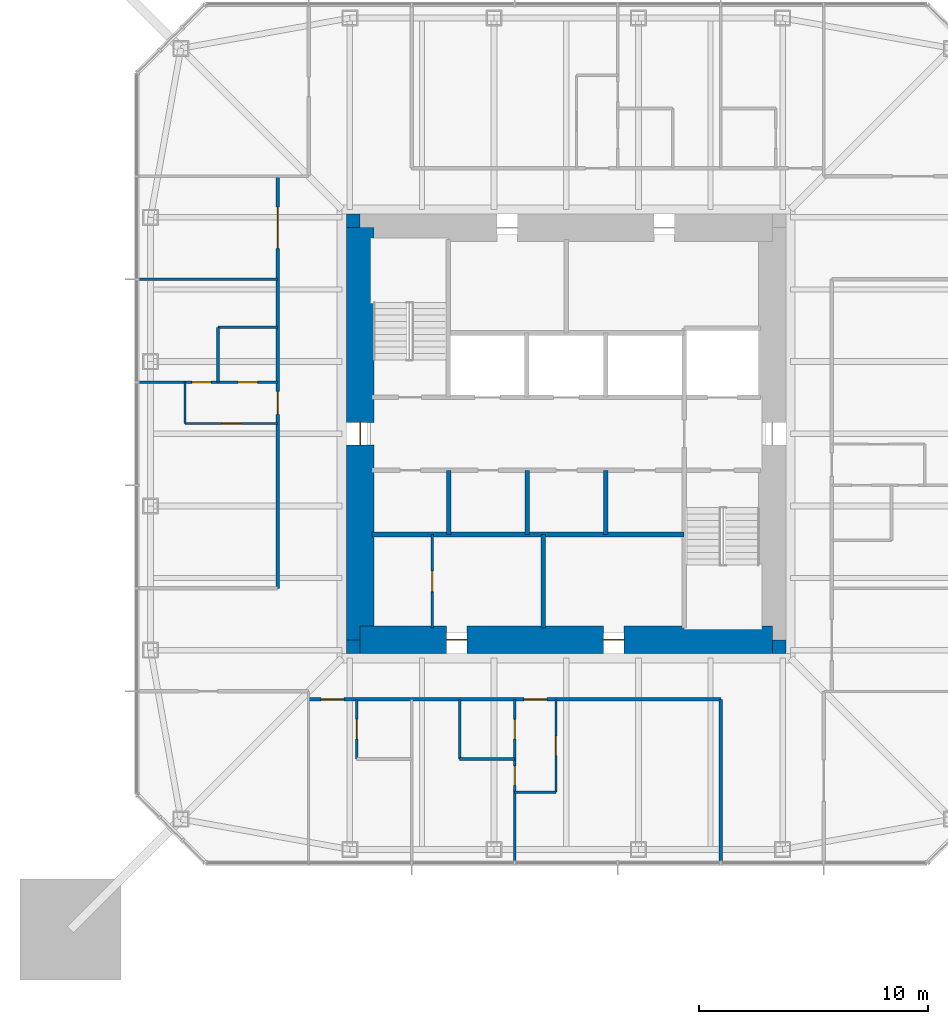
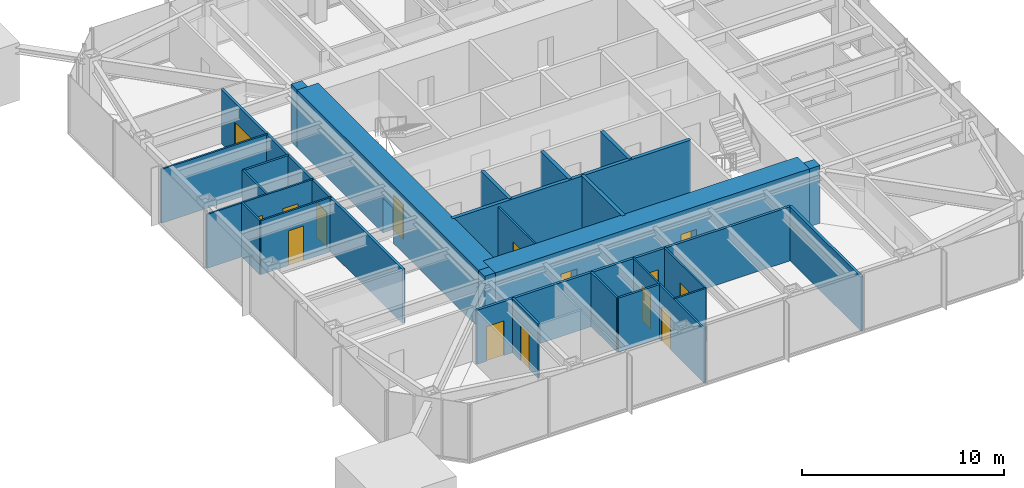
# One storey, part 6 of 11: 26 walls, 15 doors, 15 openings.
"""IFC4 building model written with IfcOpenShell, lengths in metres."""

from ifc_helpers import new_model, si_unit, direction, frame, frame_2d, origin, place, context, subcontext, project, spatial, rectangle, extrude, material, layer, layer_set, type_object, element, fill, save


model = new_model("IFC4")

# Units and contexts
model_context = context("Model", 3, precision=1e-05, world=origin(), true_north=direction((0.0, 1.0)))
body_context = subcontext(model_context, "Body", "Model", "MODEL_VIEW")
ifc_project = project(units=[si_unit("LENGTHUNIT", "METRE"), si_unit("AREAUNIT", "SQUARE_METRE"), si_unit("VOLUMEUNIT", "CUBIC_METRE"), si_unit("PLANEANGLEUNIT", "RADIAN"), si_unit("MASSUNIT", "GRAM", prefix="KILO")], contexts=[model_context])

# Site, building, storey
site_placement = place(None, origin())
site = spatial("IfcSite", under=ifc_project, at=site_placement, CompositionType="ELEMENT")
building_placement = place(site_placement, origin())
building = spatial("IfcBuilding", under=site, at=building_placement, Name="Iwan Alto Co-Living Towers", CompositionType="ELEMENT")
storey_placement = place(building_placement, frame((0.0, 0.0, 188.0)))
storey = spatial("IfcBuildingStorey", under=building, at=storey_placement, Name="L51", CompositionType="ELEMENT", Elevation=188.0)

# Wall, openings, doors
ifc_material_1 = material(Name="Gypsum board")
ifc_layer_1 = layer(ifc_material_1, 0.02490234375, Name="Board", Category="Finish")
ifc_material_2 = material(Name="Steel ASTM A1003 ST33H cold-formed studs", Category="steel")
ifc_layer_2 = layer(ifc_material_2, 0.10009765625, Name="Studs", Category="Framing")
ifc_layer_3 = layer(ifc_material_1, 0.02490234375, Name="Board", Category="Finish")
ifc_layer_set_1 = layer_set([ifc_layer_1, ifc_layer_2, ifc_layer_3], Name="CORRIDOR WALL 150")
wall_type_1 = type_object("IfcWallType", Name="CORRIDOR WALL 150", PredefinedType="PARTITIONING", material=ifc_layer_set_1)
wall_1_placement = place(storey_placement, frame((-11.25, -11.60009765625, 0.0), z_axis=(0.0, 0.0, 1.0), x_axis=(1.0, 0.0, 0.0)))
wall_1 = element("IfcWall", 1, at=wall_1_placement, inside=storey, type_object=wall_type_1, Name="Partition L51", PredefinedType="PARTITIONING", context=body_context, shape_type="SweptSolid", body=[
    extrude(rectangle(XDim=18.0, YDim=0.14990234375, at=frame_2d((9.0, 0.0))), origin(), (0.0, 0.0, 1.0), 3.27001953125),
])
opening_1_placement = place(wall_1_placement, frame((0.550048828125, 0.0, 0.0)))
opening_1 = element("IfcOpeningElement", 2, at=opening_1_placement, cuts=wall_1, Name="Opening D3", PredefinedType="OPENING", context=body_context, shape_type="SweptSolid", body=[
    extrude(rectangle(XDim=1.0, YDim=2.10009765625, at=frame_2d((0.5, 1.050048828125))), frame((0.0, 0.0849609375, 0.0), z_axis=(0.0, -1.0, 0.0), x_axis=(1.0, 0.0, 0.0)), (0.0, 0.0, 1.0), 0.169921875),
])
opening_2_placement = place(wall_1_placement, frame((9.39990234375, 0.0, 0.0)))
opening_2 = element("IfcOpeningElement", 3, at=opening_2_placement, cuts=wall_1, Name="Opening D3", PredefinedType="OPENING", context=body_context, shape_type="SweptSolid", body=[
    extrude(rectangle(XDim=1.0, YDim=2.10009765625, at=frame_2d((0.5, 1.050048828125))), frame((0.0, 0.0849609375, 0.0), z_axis=(0.0, -1.0, 0.0), x_axis=(1.0, 0.0, 0.0)), (0.0, 0.0, 1.0), 0.169921875),
])
ifc_material_3 = material(Name="Steel frame with timber leaf", Category="steel")
door_type_1 = type_object("IfcDoorType", Name="FLAT ENTRANCE DOOR FD30S 1000X2100", OperationType="SINGLE_SWING_LEFT", PredefinedType="DOOR", material=ifc_material_3)
door_1_placement = place(opening_1_placement, frame((1.0, 0.0, 0.0), z_axis=(0.0, 0.0, 1.0), x_axis=(-1.0, 0.0, 0.0)))
door_1 = element("IfcDoor", 4, at=door_1_placement, inside=storey, type_object=door_type_1, Name="Studio door L51", OperationType="SINGLE_SWING_RIGHT", OverallHeight=2.10009765625, OverallWidth=1.0, PredefinedType="DOOR", context=body_context, shape_type="SweptSolid", body=[
    extrude(rectangle(XDim=1.0, YDim=2.10009765625, at=frame_2d((0.5, 1.050048828125))), frame((0.0, 0.02490234375, 0.0), z_axis=(0.0, -1.0, 0.0), x_axis=(1.0, 0.0, 0.0)), (0.0, 0.0, 1.0), 0.050048828125),
])
fill(opening_1, door_1)
door_2_placement = place(opening_2_placement, frame((1.0, 0.0, 0.0), z_axis=(0.0, 0.0, 1.0), x_axis=(-1.0, 0.0, 0.0)))
door_2 = element("IfcDoor", 5, at=door_2_placement, inside=storey, type_object=door_type_1, Name="Apartment foyer door L51", OperationType="SINGLE_SWING_RIGHT", OverallHeight=2.10009765625, OverallWidth=1.0, PredefinedType="DOOR", context=body_context, shape_type="SweptSolid", body=[
    extrude(rectangle(XDim=1.0, YDim=2.10009765625, at=frame_2d((0.5, 1.050048828125))), frame((0.0, 0.02490234375, 0.0), z_axis=(0.0, -1.0, 0.0), x_axis=(1.0, 0.0, 0.0)), (0.0, 0.0, 1.0), 0.050048828125),
])
fill(opening_2, door_2)

# Wall
wall_2_placement = place(storey_placement, frame((6.75, -18.68994140625, 0.0), z_axis=(0.0, 0.0, 1.0), x_axis=(0.0, 1.0, 0.0)))
element("IfcWall", 6, at=wall_2_placement, inside=storey, type_object=wall_type_1, Name="Partition L51", PredefinedType="PARTITIONING", context=body_context, shape_type="SweptSolid", body=[
    extrude(rectangle(XDim=7.08984375, YDim=0.14990234375, at=frame_2d((3.544921875, 0.0))), origin(), (0.0, 0.0, 1.0), 3.27001953125),
])

# Wall, openings, doors
wall_3_placement = place(storey_placement, frame((-12.60009765625, -6.75, 0.0), z_axis=(0.0, 0.0, 1.0), x_axis=(0.0, 1.0, 0.0)))
wall_3 = element("IfcWall", 7, at=wall_3_placement, inside=storey, type_object=wall_type_1, Name="Partition L51", PredefinedType="PARTITIONING", context=body_context, shape_type="SweptSolid", body=[
    extrude(rectangle(XDim=18.0, YDim=0.14990234375, at=frame_2d((9.0, 0.0))), origin(), (0.0, 0.0, 1.0), 3.27001953125),
])
opening_3_placement = place(wall_3_placement, frame((14.85009765625, 0.0, 0.0)))
opening_3 = element("IfcOpeningElement", 8, at=opening_3_placement, cuts=wall_3, Name="Opening D9", PredefinedType="OPENING", context=body_context, shape_type="SweptSolid", body=[
    extrude(rectangle(XDim=1.800048828125, YDim=2.10009765625, at=frame_2d((0.89990234375, 1.050048828125))), frame((0.0, 0.0849609375, 0.0), z_axis=(0.0, -1.0, 0.0), x_axis=(1.0, 0.0, 0.0)), (0.0, 0.0, 1.0), 0.169921875),
])
opening_4_placement = place(wall_3_placement, frame((7.60009765625, 0.0, 0.0)))
opening_4 = element("IfcOpeningElement", 9, at=opening_4_placement, cuts=wall_3, Name="Opening D3", PredefinedType="OPENING", context=body_context, shape_type="SweptSolid", body=[
    extrude(rectangle(XDim=1.0, YDim=2.10009765625, at=frame_2d((0.5, 1.050048828125))), frame((0.0, 0.0849609375, 0.0), z_axis=(0.0, -1.0, 0.0), x_axis=(1.0, 0.0, 0.0)), (0.0, 0.0, 1.0), 0.169921875),
])
door_3_placement = place(opening_4_placement, origin())
door_3 = element("IfcDoor", 10, at=door_3_placement, inside=storey, type_object=door_type_1, Name="Apartment foyer door L51", OperationType="SINGLE_SWING_LEFT", OverallHeight=2.10009765625, OverallWidth=1.0, PredefinedType="DOOR", context=body_context, shape_type="SweptSolid", body=[
    extrude(rectangle(XDim=1.0, YDim=2.10009765625, at=frame_2d((0.5, 1.050048828125))), frame((0.0, 0.02490234375, 0.0), z_axis=(0.0, -1.0, 0.0), x_axis=(1.0, 0.0, 0.0)), (0.0, 0.0, 1.0), 0.050048828125),
])
fill(opening_4, door_3)
ifc_material_4 = material(Name="Steel frame with timber leaf", Category="steel")
door_type_2 = type_object("IfcDoorType", Name="LOUNGE DOOR FD30S 1800X2100", OperationType="DOUBLE_DOOR_SINGLE_SWING", PredefinedType="DOOR", material=ifc_material_4)
door_4_placement = place(opening_3_placement, origin())
door_4 = element("IfcDoor", 11, at=door_4_placement, inside=storey, type_object=door_type_2, Name="Music practice room door L51", OperationType="DOUBLE_DOOR_SINGLE_SWING", OverallHeight=2.10009765625, OverallWidth=1.800048828125, PredefinedType="DOOR", context=body_context, shape_type="SweptSolid", body=[
    extrude(rectangle(XDim=1.800048828125, YDim=2.10009765625, at=frame_2d((0.89990234375, 1.050048828125))), frame((0.0, 0.02490234375, 0.0), z_axis=(0.0, -1.0, 0.0), x_axis=(1.0, 0.0, 0.0)), (0.0, 0.0, 1.0), 0.050048828125),
])
fill(opening_3, door_4)

# Wall
ifc_layer_4 = layer(ifc_material_1, 0.012451171875, Name="Board", Category="Finish")
ifc_layer_5 = layer(ifc_material_2, 0.074951171875, Name="Studs", Category="Framing")
ifc_layer_6 = layer(ifc_material_1, 0.012451171875, Name="Board", Category="Finish")
ifc_layer_set_2 = layer_set([ifc_layer_4, ifc_layer_5, ifc_layer_6], Name="PARTITION 100")
wall_type_2 = type_object("IfcWallType", Name="PARTITION 100", PredefinedType="PARTITIONING", material=ifc_layer_set_2)
wall_4_placement = place(storey_placement, frame((-2.25, -15.64990234375, 0.0), z_axis=(0.0, 0.0, 1.0), x_axis=(1.0, 0.0, 0.0)))
element("IfcWall", 12, at=wall_4_placement, inside=storey, type_object=wall_type_2, Name="Partition L51", PredefinedType="PARTITIONING", context=body_context, shape_type="SweptSolid", body=[
    extrude(rectangle(XDim=1.800048828125, YDim=0.10009765625, at=frame_2d((0.89990234375, 0.0))), origin(), (0.0, 0.0, 1.0), 3.27001953125),
])

# Wall, opening, door
wall_5_placement = place(storey_placement, frame((-16.64990234375, 0.449951171875, 0.0), z_axis=(0.0, 0.0, 1.0), x_axis=(1.0, 0.0, 0.0)))
wall_5 = element("IfcWall", 13, at=wall_5_placement, inside=storey, type_object=wall_type_2, Name="Partition L51", PredefinedType="PARTITIONING", context=body_context, shape_type="SweptSolid", body=[
    extrude(rectangle(XDim=4.0498046875, YDim=0.10009765625, at=frame_2d((2.02490234375, 0.0))), origin(), (0.0, 0.0, 1.0), 3.27001953125),
])
opening_5_placement = place(wall_5_placement, frame((1.60009765625, 0.0, 0.0)))
opening_5 = element("IfcOpeningElement", 14, at=opening_5_placement, cuts=wall_5, Name="Opening D2", PredefinedType="OPENING", context=body_context, shape_type="SweptSolid", body=[
    extrude(rectangle(XDim=0.85009765625, YDim=2.10009765625, at=frame_2d((0.425048828125, 1.050048828125))), frame((0.0, 0.06005859375, 0.0), z_axis=(0.0, -1.0, 0.0), x_axis=(1.0, 0.0, 0.0)), (0.0, 0.0, 1.0), 0.1201171875),
])
ifc_material_5 = material(Name="Timber leaf in steel frame", Category="steel")
door_type_3 = type_object("IfcDoorType", Name="ROOM DOOR 850X2100", OperationType="SINGLE_SWING_LEFT", PredefinedType="DOOR", material=ifc_material_5)
door_5_placement = place(opening_5_placement, frame((0.85009765625, 0.0, 0.0), z_axis=(0.0, 0.0, 1.0), x_axis=(-1.0, 0.0, 0.0)))
door_5 = element("IfcDoor", 15, at=door_5_placement, inside=storey, type_object=door_type_3, Name="Apartment foyer door L51", OperationType="SINGLE_SWING_LEFT", OverallHeight=2.10009765625, OverallWidth=0.85009765625, PredefinedType="DOOR", context=body_context, shape_type="SweptSolid", body=[
    extrude(rectangle(XDim=0.85009765625, YDim=2.10009765625, at=frame_2d((0.425048828125, 1.050048828125))), frame((0.0, 0.02490234375, 0.0), z_axis=(0.0, -1.0, 0.0), x_axis=(1.0, 0.0, 0.0)), (0.0, 0.0, 1.0), 0.050048828125),
])
fill(opening_5, door_5)

# Wall, openings, doors
wall_6_placement = place(storey_placement, frame((-18.68994140625, 2.25, 0.0), z_axis=(0.0, 0.0, 1.0), x_axis=(1.0, 0.0, 0.0)))
wall_6 = element("IfcWall", 16, at=wall_6_placement, inside=storey, type_object=wall_type_2, Name="Partition L51", PredefinedType="PARTITIONING", context=body_context, shape_type="SweptSolid", body=[
    extrude(rectangle(XDim=6.08984375, YDim=0.10009765625, at=frame_2d((3.044921875, 0.0))), origin(), (0.0, 0.0, 1.0), 3.27001953125),
])
opening_6_placement = place(wall_6_placement, frame((2.340087890625, 0.0, 0.0)))
opening_6 = element("IfcOpeningElement", 17, at=opening_6_placement, cuts=wall_6, Name="Opening D2", PredefinedType="OPENING", context=body_context, shape_type="SweptSolid", body=[
    extrude(rectangle(XDim=0.85009765625, YDim=2.10009765625, at=frame_2d((0.425048828125, 1.050048828125))), frame((0.0, 0.06005859375, 0.0), z_axis=(0.0, -1.0, 0.0), x_axis=(1.0, 0.0, 0.0)), (0.0, 0.0, 1.0), 0.1201171875),
])
opening_7_placement = place(wall_6_placement, frame((4.364990234375, 0.0, 0.0)))
opening_7 = element("IfcOpeningElement", 18, at=opening_7_placement, cuts=wall_6, Name="Opening D2", PredefinedType="OPENING", context=body_context, shape_type="SweptSolid", body=[
    extrude(rectangle(XDim=0.85009765625, YDim=2.10009765625, at=frame_2d((0.425048828125, 1.050048828125))), frame((0.0, 0.06005859375, 0.0), z_axis=(0.0, -1.0, 0.0), x_axis=(1.0, 0.0, 0.0)), (0.0, 0.0, 1.0), 0.1201171875),
])
door_6_placement = place(opening_6_placement, origin())
door_6 = element("IfcDoor", 19, at=door_6_placement, inside=storey, type_object=door_type_3, Name="Bedroom door L51", OperationType="SINGLE_SWING_RIGHT", OverallHeight=2.10009765625, OverallWidth=0.85009765625, PredefinedType="DOOR", context=body_context, shape_type="SweptSolid", body=[
    extrude(rectangle(XDim=0.85009765625, YDim=2.10009765625, at=frame_2d((0.425048828125, 1.050048828125))), frame((0.0, 0.02490234375, 0.0), z_axis=(0.0, -1.0, 0.0), x_axis=(1.0, 0.0, 0.0)), (0.0, 0.0, 1.0), 0.050048828125),
])
fill(opening_6, door_6)
door_7_placement = place(opening_7_placement, origin())
door_7 = element("IfcDoor", 20, at=door_7_placement, inside=storey, type_object=door_type_3, Name="Bathroom door L51", OperationType="SINGLE_SWING_LEFT", OverallHeight=2.10009765625, OverallWidth=0.85009765625, PredefinedType="DOOR", context=body_context, shape_type="SweptSolid", body=[
    extrude(rectangle(XDim=0.85009765625, YDim=2.10009765625, at=frame_2d((0.425048828125, 1.050048828125))), frame((0.0, 0.02490234375, 0.0), z_axis=(0.0, -1.0, 0.0), x_axis=(1.0, 0.0, 0.0)), (0.0, 0.0, 1.0), 0.050048828125),
])
fill(opening_7, door_7)

# Wall
wall_7_placement = place(storey_placement, frame((-18.68994140625, 6.75, 0.0), z_axis=(0.0, 0.0, 1.0), x_axis=(1.0, 0.0, 0.0)))
element("IfcWall", 21, at=wall_7_placement, inside=storey, type_object=wall_type_2, Name="Partition L51", PredefinedType="PARTITIONING", context=body_context, shape_type="SweptSolid", body=[
    extrude(rectangle(XDim=6.08984375, YDim=0.10009765625, at=frame_2d((3.044921875, 0.0))), origin(), (0.0, 0.0, 1.0), 3.27001953125),
])

# Wall, opening, door
wall_8_placement = place(storey_placement, frame((-0.449951171875, -15.64990234375, 0.0), z_axis=(0.0, 0.0, 1.0), x_axis=(0.0, 1.0, 0.0)))
wall_8 = element("IfcWall", 22, at=wall_8_placement, inside=storey, type_object=wall_type_2, Name="Partition L51", PredefinedType="PARTITIONING", context=body_context, shape_type="SweptSolid", body=[
    extrude(rectangle(XDim=4.0498046875, YDim=0.10009765625, at=frame_2d((2.02490234375, 0.0))), origin(), (0.0, 0.0, 1.0), 3.27001953125),
])
opening_8_placement = place(wall_8_placement, frame((1.60009765625, 0.0, 0.0)))
opening_8 = element("IfcOpeningElement", 23, at=opening_8_placement, cuts=wall_8, Name="Opening D2", PredefinedType="OPENING", context=body_context, shape_type="SweptSolid", body=[
    extrude(rectangle(XDim=0.85009765625, YDim=2.10009765625, at=frame_2d((0.425048828125, 1.050048828125))), frame((0.0, 0.06005859375, 0.0), z_axis=(0.0, -1.0, 0.0), x_axis=(1.0, 0.0, 0.0)), (0.0, 0.0, 1.0), 0.1201171875),
])
door_8_placement = place(opening_8_placement, frame((0.85009765625, 0.0, 0.0), z_axis=(0.0, 0.0, 1.0), x_axis=(-1.0, 0.0, 0.0)))
door_8 = element("IfcDoor", 24, at=door_8_placement, inside=storey, type_object=door_type_3, Name="Apartment foyer door L51", OperationType="SINGLE_SWING_LEFT", OverallHeight=2.10009765625, OverallWidth=0.85009765625, PredefinedType="DOOR", context=body_context, shape_type="SweptSolid", body=[
    extrude(rectangle(XDim=0.85009765625, YDim=2.10009765625, at=frame_2d((0.425048828125, 1.050048828125))), frame((0.0, 0.02490234375, 0.0), z_axis=(0.0, -1.0, 0.0), x_axis=(1.0, 0.0, 0.0)), (0.0, 0.0, 1.0), 0.050048828125),
])
fill(opening_8, door_8)

# Wall, openings, doors
wall_9_placement = place(storey_placement, frame((-2.25, -18.68994140625, 0.0), z_axis=(0.0, 0.0, 1.0), x_axis=(0.0, 1.0, 0.0)))
wall_9 = element("IfcWall", 25, at=wall_9_placement, inside=storey, type_object=wall_type_2, Name="Partition L51", PredefinedType="PARTITIONING", context=body_context, shape_type="SweptSolid", body=[
    extrude(rectangle(XDim=7.08984375, YDim=0.10009765625, at=frame_2d((3.544921875, 0.0))), origin(), (0.0, 0.0, 1.0), 3.27001953125),
])
opening_9_placement = place(wall_9_placement, frame((3.340087890625, 0.0, 0.0)))
opening_9 = element("IfcOpeningElement", 26, at=opening_9_placement, cuts=wall_9, Name="Opening D2", PredefinedType="OPENING", context=body_context, shape_type="SweptSolid", body=[
    extrude(rectangle(XDim=0.85009765625, YDim=2.10009765625, at=frame_2d((0.425048828125, 1.050048828125))), frame((0.0, 0.06005859375, 0.0), z_axis=(0.0, -1.0, 0.0), x_axis=(1.0, 0.0, 0.0)), (0.0, 0.0, 1.0), 0.1201171875),
])
opening_10_placement = place(wall_9_placement, frame((5.364990234375, 0.0, 0.0)))
opening_10 = element("IfcOpeningElement", 27, at=opening_10_placement, cuts=wall_9, Name="Opening D2", PredefinedType="OPENING", context=body_context, shape_type="SweptSolid", body=[
    extrude(rectangle(XDim=0.85009765625, YDim=2.10009765625, at=frame_2d((0.425048828125, 1.050048828125))), frame((0.0, 0.06005859375, 0.0), z_axis=(0.0, -1.0, 0.0), x_axis=(1.0, 0.0, 0.0)), (0.0, 0.0, 1.0), 0.1201171875),
])
door_9_placement = place(opening_9_placement, origin())
door_9 = element("IfcDoor", 28, at=door_9_placement, inside=storey, type_object=door_type_3, Name="Bedroom door L51", OperationType="SINGLE_SWING_RIGHT", OverallHeight=2.10009765625, OverallWidth=0.85009765625, PredefinedType="DOOR", context=body_context, shape_type="SweptSolid", body=[
    extrude(rectangle(XDim=0.85009765625, YDim=2.10009765625, at=frame_2d((0.425048828125, 1.050048828125))), frame((0.0, 0.02490234375, 0.0), z_axis=(0.0, -1.0, 0.0), x_axis=(1.0, 0.0, 0.0)), (0.0, 0.0, 1.0), 0.050048828125),
])
fill(opening_9, door_9)
door_10_placement = place(opening_10_placement, origin())
door_10 = element("IfcDoor", 29, at=door_10_placement, inside=storey, type_object=door_type_3, Name="Bathroom door L51", OperationType="SINGLE_SWING_LEFT", OverallHeight=2.10009765625, OverallWidth=0.85009765625, PredefinedType="DOOR", context=body_context, shape_type="SweptSolid", body=[
    extrude(rectangle(XDim=0.85009765625, YDim=2.10009765625, at=frame_2d((0.425048828125, 1.050048828125))), frame((0.0, 0.02490234375, 0.0), z_axis=(0.0, -1.0, 0.0), x_axis=(1.0, 0.0, 0.0)), (0.0, 0.0, 1.0), 0.050048828125),
])
fill(opening_10, door_10)

# Wall, opening, door
wall_10_placement = place(storey_placement, frame((-5.85009765625, -8.489990234375, 0.0), z_axis=(0.0, 0.0, 1.0), x_axis=(0.0, 1.0, 0.0)))
wall_10 = element("IfcWall", 30, at=wall_10_placement, inside=storey, type_object=wall_type_2, Name="Partition L51", PredefinedType="PARTITIONING", context=body_context, shape_type="SweptSolid", body=[
    extrude(rectangle(XDim=4.090087890625, YDim=0.10009765625, at=frame_2d((2.044921875, 0.0))), origin(), (0.0, 0.0, 1.0), 3.300048828125),
])
opening_11_placement = place(wall_10_placement, frame((1.594970703125, 0.0, 0.0)))
opening_11 = element("IfcOpeningElement", 31, at=opening_11_placement, cuts=wall_10, Name="Opening D16", PredefinedType="OPENING", context=body_context, shape_type="SweptSolid", body=[
    extrude(rectangle(XDim=0.89990234375, YDim=2.10009765625, at=frame_2d((0.449951171875, 1.050048828125))), frame((0.0, 0.06005859375, 0.0), z_axis=(0.0, -1.0, 0.0), x_axis=(1.0, 0.0, 0.0)), (0.0, 0.0, 1.0), 0.1201171875),
])
ifc_material_6 = material(Name="Timber leaf in steel frame", Category="steel")
door_type_4 = type_object("IfcDoorType", Name="CUPBOARD SLIDING DOOR 900X2100", OperationType="SLIDING_TO_LEFT", PredefinedType="DOOR", material=ifc_material_6)
door_11_placement = place(opening_11_placement, origin())
door_11 = element("IfcDoor", 32, at=door_11_placement, inside=storey, type_object=door_type_4, Name="Bulky waste store door L51", OperationType="SLIDING_TO_LEFT", OverallHeight=2.10009765625, OverallWidth=0.89990234375, PredefinedType="DOOR", context=body_context, shape_type="SweptSolid", body=[
    extrude(rectangle(XDim=0.89990234375, YDim=2.10009765625, at=frame_2d((0.449951171875, 1.050048828125))), frame((0.0, 0.02490234375, 0.0), z_axis=(0.0, -1.0, 0.0), x_axis=(1.0, 0.0, 0.0)), (0.0, 0.0, 1.0), 0.050048828125),
])
fill(opening_11, door_11)

# Walls
wall_11_placement = place(storey_placement, frame((-16.64990234375, 0.449951171875, 0.0), z_axis=(0.0, 0.0, 1.0), x_axis=(0.0, 1.0, 0.0)))
element("IfcWall", 33, at=wall_11_placement, inside=storey, type_object=wall_type_2, Name="Partition L51", PredefinedType="PARTITIONING", context=body_context, shape_type="SweptSolid", body=[
    extrude(rectangle(XDim=1.800048828125, YDim=0.10009765625, at=frame_2d((0.89990234375, 0.0))), origin(), (0.0, 0.0, 1.0), 3.27001953125),
])
ifc_material_7 = material(Name="Concrete f'c 70 MPa", Category="concrete")
ifc_layer_7 = layer(ifc_material_7, 0.199951171875)
ifc_layer_set_3 = layer_set([ifc_layer_7], Name="SHAFT WALL 200")
wall_type_3 = type_object("IfcWallType", Name="SHAFT WALL 200", PredefinedType="SOLIDWALL", material=ifc_layer_set_3)
wall_12_placement = place(storey_placement, frame((-8.489990234375, -4.39990234375, 0.0), z_axis=(0.0, 0.0, 1.0), x_axis=(1.0, 0.0, 0.0)))
element("IfcWall", 34, at=wall_12_placement, inside=storey, type_object=wall_type_3, Name="Shaft wall L51", PredefinedType="SOLIDWALL", context=body_context, shape_type="SweptSolid", body=[
    extrude(rectangle(XDim=13.639892578125, YDim=0.199951171875, at=frame_2d((6.81982421875, 0.0))), origin(), (0.0, 0.0, 1.0), 3.5),
])
wall_13_placement = place(storey_placement, frame((1.72509765625, -4.39990234375, 0.0), z_axis=(0.0, 0.0, 1.0), x_axis=(0.0, 1.0, 0.0)))
element("IfcWall", 35, at=wall_13_placement, inside=storey, type_object=wall_type_3, Name="Shaft wall L51", PredefinedType="SOLIDWALL", context=body_context, shape_type="SweptSolid", body=[
    extrude(rectangle(XDim=2.7998046875, YDim=0.199951171875, at=frame_2d((1.39990234375, 0.0))), origin(), (0.0, 0.0, 1.0), 3.5),
])
wall_14_placement = place(storey_placement, frame((-1.0, -8.489990234375, 0.0), z_axis=(0.0, 0.0, 1.0), x_axis=(0.0, 1.0, 0.0)))
element("IfcWall", 36, at=wall_14_placement, inside=storey, type_object=wall_type_3, Name="Shaft wall L51", PredefinedType="SOLIDWALL", context=body_context, shape_type="SweptSolid", body=[
    extrude(rectangle(XDim=4.090087890625, YDim=0.199951171875, at=frame_2d((2.044921875, 0.0))), origin(), (0.0, 0.0, 1.0), 3.5),
])
for number, where, z_axis, x_axis, name in (
    (37, (-1.699951171875, -4.39990234375, 0.0), (0.0, 0.0, 1.0), (0.0, 1.0, 0.0), "Shaft wall L51"),
    (38, (-5.125, -4.39990234375, 0.0), (0.0, 0.0, 1.0), (0.0, 1.0, 0.0), "Shaft wall L51"),
):
    element("IfcWall", number, at=place(storey_placement, frame(where, z_axis=z_axis, x_axis=x_axis)), inside=storey, type_object=wall_type_3, Name=name, PredefinedType="SOLIDWALL", context=body_context, shape_type="SweptSolid", body=[
        extrude(rectangle(XDim=2.7998046875, YDim=0.199951171875, at=frame_2d((1.39990234375, 0.0))), origin(), (0.0, 0.0, 1.0), 3.5),
    ])
ifc_material_8 = material(Name="Concrete f'c 70 MPa", Category="concrete")
ifc_layer_8 = layer(ifc_material_8, 0.60009765625)
ifc_layer_set_4 = layer_set([ifc_layer_8], Name="T1 CORE CORNER FILL 600")
wall_type_4 = type_object("IfcWallType", Name="T1 CORE CORNER FILL 600", PredefinedType="SOLIDWALL", material=ifc_layer_set_4)
for number, where, z_axis, x_axis, name in (
    (39, (-9.60009765625, -9.300048828125, 0.0), (0.0, 0.0, 1.0), (1.0, 0.0, 0.0), "T1 core corner SW L51"),
    (40, (9.0, -9.300048828125, 0.0), (0.0, 0.0, 1.0), (1.0, 0.0, 0.0), "T1 core corner SE L51"),
    (41, (-9.60009765625, 9.300048828125, 0.0), (0.0, 0.0, 1.0), (1.0, 0.0, 0.0), "T1 core corner NW L51"),
):
    element("IfcWall", number, at=place(storey_placement, frame(where, z_axis=z_axis, x_axis=x_axis)), inside=storey, type_object=wall_type_4, Name=name, PredefinedType="SOLIDWALL", context=body_context, shape_type="SweptSolid", body=[
        extrude(rectangle(XDim=0.60009765625, YDim=0.60009765625, at=frame_2d((0.300048828125, 0.0))), origin(), (0.0, 0.0, 1.0), 3.5),
    ])

# Wall, openings, doors
ifc_material_9 = material(Name="Concrete f'c 70 MPa", Category="concrete")
ifc_layer_9 = layer(ifc_material_9, 1.199951171875)
ifc_layer_set_5 = layer_set([ifc_layer_9], Name="T1 CORE WALL 1200")
wall_type_5 = type_object("IfcWallType", Name="T1 CORE WALL 1200", PredefinedType="SHEAR", material=ifc_layer_set_5)
wall_15_placement = place(storey_placement, frame((-9.0, -9.0, 0.0), z_axis=(0.0, 0.0, 1.0), x_axis=(1.0, 0.0, 0.0)))
wall_15 = element("IfcWall", 42, at=wall_15_placement, inside=storey, type_object=wall_type_5, Name="T1 core wall S L51", PredefinedType="SHEAR", context=body_context, shape_type="SweptSolid", body=[
    extrude(rectangle(XDim=18.0, YDim=1.199951171875, at=frame_2d((9.0, 0.0))), origin(), (0.0, 0.0, 1.0), 3.5),
])
opening_12_placement = place(wall_15_placement, frame((3.77490234375, 0.0, 0.0)))
opening_12 = element("IfcOpeningElement", 43, at=opening_12_placement, cuts=wall_15, Name="Opening D8", PredefinedType="OPENING", context=body_context, shape_type="SweptSolid", body=[
    extrude(rectangle(XDim=0.89990234375, YDim=2.10009765625, at=frame_2d((0.449951171875, 1.050048828125))), frame((0.0, 0.60986328125, 0.0), z_axis=(0.0, -1.0, 0.0), x_axis=(1.0, 0.0, 0.0)), (0.0, 0.0, 1.0), 1.219970703125),
])
opening_13_placement = place(wall_15_placement, frame((10.625, 0.0, 0.0)))
opening_13 = element("IfcOpeningElement", 44, at=opening_13_placement, cuts=wall_15, Name="Opening D8", PredefinedType="OPENING", context=body_context, shape_type="SweptSolid", body=[
    extrude(rectangle(XDim=0.89990234375, YDim=2.10009765625, at=frame_2d((0.449951171875, 1.050048828125))), frame((0.0, 0.60986328125, 0.0), z_axis=(0.0, -1.0, 0.0), x_axis=(1.0, 0.0, 0.0)), (0.0, 0.0, 1.0), 1.219970703125),
])
ifc_material_10 = material(Name="Steel frame with timber leaf", Category="steel")
door_type_5 = type_object("IfcDoorType", Name="RISER DOOR FD120 900X2100", OperationType="SINGLE_SWING_LEFT", PredefinedType="DOOR", material=ifc_material_10)
door_12_placement = place(opening_12_placement, origin())
door_12 = element("IfcDoor", 45, at=door_12_placement, inside=storey, type_object=door_type_5, Name="Refuse room core door L51", OperationType="SINGLE_SWING_LEFT", OverallHeight=2.10009765625, OverallWidth=0.89990234375, PredefinedType="DOOR", context=body_context, shape_type="SweptSolid", body=[
    extrude(rectangle(XDim=0.89990234375, YDim=2.10009765625, at=frame_2d((0.449951171875, 1.050048828125))), frame((0.0, 0.02490234375, 0.0), z_axis=(0.0, -1.0, 0.0), x_axis=(1.0, 0.0, 0.0)), (0.0, 0.0, 1.0), 0.050048828125),
])
fill(opening_12, door_12)
door_13_placement = place(opening_13_placement, origin())
door_13 = element("IfcDoor", 46, at=door_13_placement, inside=storey, type_object=door_type_5, Name="Telecom riser core door L51", OperationType="SINGLE_SWING_LEFT", OverallHeight=2.10009765625, OverallWidth=0.89990234375, PredefinedType="DOOR", context=body_context, shape_type="SweptSolid", body=[
    extrude(rectangle(XDim=0.89990234375, YDim=2.10009765625, at=frame_2d((0.449951171875, 1.050048828125))), frame((0.0, 0.02490234375, 0.0), z_axis=(0.0, -1.0, 0.0), x_axis=(1.0, 0.0, 0.0)), (0.0, 0.0, 1.0), 0.050048828125),
])
fill(opening_13, door_13)

# Wall, opening, door
wall_16_placement = place(storey_placement, frame((-9.0, 9.0, 0.0), z_axis=(0.0, 0.0, 1.0), x_axis=(0.0, -1.0, 0.0)))
wall_16 = element("IfcWall", 47, at=wall_16_placement, inside=storey, type_object=wall_type_5, Name="T1 core wall W L51", PredefinedType="SHEAR", context=body_context, shape_type="SweptSolid", body=[
    extrude(rectangle(XDim=18.0, YDim=1.199951171875, at=frame_2d((9.0, 0.0))), origin(), (0.0, 0.0, 1.0), 3.5),
])
opening_14_placement = place(wall_16_placement, frame((8.5, 0.0, 0.0)))
opening_14 = element("IfcOpeningElement", 48, at=opening_14_placement, cuts=wall_16, Name="Opening D7", PredefinedType="OPENING", context=body_context, shape_type="SweptSolid", body=[
    extrude(rectangle(XDim=1.0, YDim=2.10009765625, at=frame_2d((0.5, 1.050048828125))), frame((0.0, 0.60986328125, 0.0), z_axis=(0.0, -1.0, 0.0), x_axis=(1.0, 0.0, 0.0)), (0.0, 0.0, 1.0), 1.219970703125),
])
ifc_material_11 = material(Name="Steel frame with timber leaf", Category="steel")
door_type_6 = type_object("IfcDoorType", Name="CORE DOOR FD120S 1000X2100", OperationType="SINGLE_SWING_LEFT", PredefinedType="DOOR", material=ifc_material_11)
door_14_placement = place(opening_14_placement, origin())
door_14 = element("IfcDoor", 49, at=door_14_placement, inside=storey, type_object=door_type_6, Name="Lift lobby core door L51", OperationType="SINGLE_SWING_RIGHT", OverallHeight=2.10009765625, OverallWidth=1.0, PredefinedType="DOOR", context=body_context, shape_type="SweptSolid", body=[
    extrude(rectangle(XDim=1.0, YDim=2.10009765625, at=frame_2d((0.5, 1.050048828125))), frame((0.0, 0.02490234375, 0.0), z_axis=(0.0, -1.0, 0.0), x_axis=(1.0, 0.0, 0.0)), (0.0, 0.0, 1.0), 0.050048828125),
])
fill(opening_14, door_14)

# Walls
ifc_material_12 = material(Name="Cement board")
ifc_layer_10 = layer(ifc_material_12, 0.012451171875, Name="Board", Category="Finish")
ifc_layer_11 = layer(ifc_material_2, 0.094970703125, Name="Studs", Category="Framing")
ifc_layer_12 = layer(ifc_material_12, 0.012451171875, Name="Board", Category="Finish")
ifc_layer_set_6 = layer_set([ifc_layer_10, ifc_layer_11, ifc_layer_12], Name="WET AREA PARTITION 120")
wall_type_6 = type_object("IfcWallType", Name="WET AREA PARTITION 120", PredefinedType="PARTITIONING", material=ifc_layer_set_6)
wall_17_placement = place(storey_placement, frame((-4.64990234375, -14.199951171875, 0.0), z_axis=(0.0, 0.0, 1.0), x_axis=(1.0, 0.0, 0.0)))
element("IfcWall", 50, at=wall_17_placement, inside=storey, type_object=wall_type_6, Name="Partition L51", PredefinedType="PARTITIONING", context=body_context, shape_type="SweptSolid", body=[
    extrude(rectangle(XDim=2.39990234375, YDim=0.1201171875, at=frame_2d((1.199951171875, 0.0))), origin(), (0.0, 0.0, 1.0), 3.27001953125),
])
for number, where, z_axis, x_axis, name in (
    (51, (-15.199951171875, 4.64990234375, 0.0), (0.0, 0.0, 1.0), (1.0, 0.0, 0.0), "Partition L51"),
    (52, (-4.64990234375, -14.199951171875, 0.0), (0.0, 0.0, 1.0), (0.0, 1.0, 0.0), "Partition L51"),
):
    element("IfcWall", number, at=place(storey_placement, frame(where, z_axis=z_axis, x_axis=x_axis)), inside=storey, type_object=wall_type_6, Name=name, PredefinedType="PARTITIONING", context=body_context, shape_type="SweptSolid", body=[
        extrude(rectangle(XDim=2.599853515625, YDim=0.1201171875, at=frame_2d((1.2998046875, 0.0))), origin(), (0.0, 0.0, 1.0), 3.27001953125),
    ])

# Wall, opening, door
wall_18_placement = place(storey_placement, frame((-9.14990234375, -14.199951171875, 0.0), z_axis=(0.0, 0.0, 1.0), x_axis=(0.0, 1.0, 0.0)))
wall_18 = element("IfcWall", 53, at=wall_18_placement, inside=storey, type_object=wall_type_6, Name="Partition L51", PredefinedType="PARTITIONING", context=body_context, shape_type="SweptSolid", body=[
    extrude(rectangle(XDim=2.599853515625, YDim=0.1201171875, at=frame_2d((1.2998046875, 0.0))), origin(), (0.0, 0.0, 1.0), 3.27001953125),
])
opening_15_placement = place(wall_18_placement, frame((0.875, 0.0, 0.0)))
opening_15 = element("IfcOpeningElement", 54, at=opening_15_placement, cuts=wall_18, Name="Opening D2", PredefinedType="OPENING", context=body_context, shape_type="SweptSolid", body=[
    extrude(rectangle(XDim=0.85009765625, YDim=2.10009765625, at=frame_2d((0.425048828125, 1.050048828125))), frame((0.0, 0.070068359375, 0.0), z_axis=(0.0, -1.0, 0.0), x_axis=(1.0, 0.0, 0.0)), (0.0, 0.0, 1.0), 0.14013671875),
])
door_15_placement = place(opening_15_placement, origin())
door_15 = element("IfcDoor", 55, at=door_15_placement, inside=storey, type_object=door_type_3, Name="En-suite shower room door L51", OperationType="SINGLE_SWING_RIGHT", OverallHeight=2.10009765625, OverallWidth=0.85009765625, PredefinedType="DOOR", context=body_context, shape_type="SweptSolid", body=[
    extrude(rectangle(XDim=0.85009765625, YDim=2.10009765625, at=frame_2d((0.425048828125, 1.050048828125))), frame((0.0, 0.02490234375, 0.0), z_axis=(0.0, -1.0, 0.0), x_axis=(1.0, 0.0, 0.0)), (0.0, 0.0, 1.0), 0.050048828125),
])
fill(opening_15, door_15)

# Wall
wall_19_placement = place(storey_placement, frame((-15.199951171875, 2.25, 0.0), z_axis=(0.0, 0.0, 1.0), x_axis=(0.0, 1.0, 0.0)))
element("IfcWall", 56, at=wall_19_placement, inside=storey, type_object=wall_type_6, Name="Partition L51", PredefinedType="PARTITIONING", context=body_context, shape_type="SweptSolid", body=[
    extrude(rectangle(XDim=2.39990234375, YDim=0.1201171875, at=frame_2d((1.199951171875, 0.0))), origin(), (0.0, 0.0, 1.0), 3.27001953125),
])

save(model, "model.ifc")
